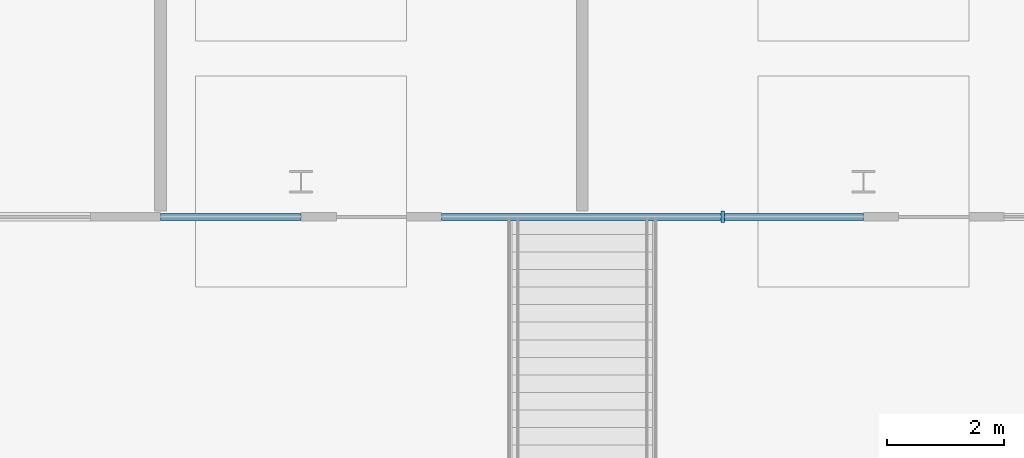
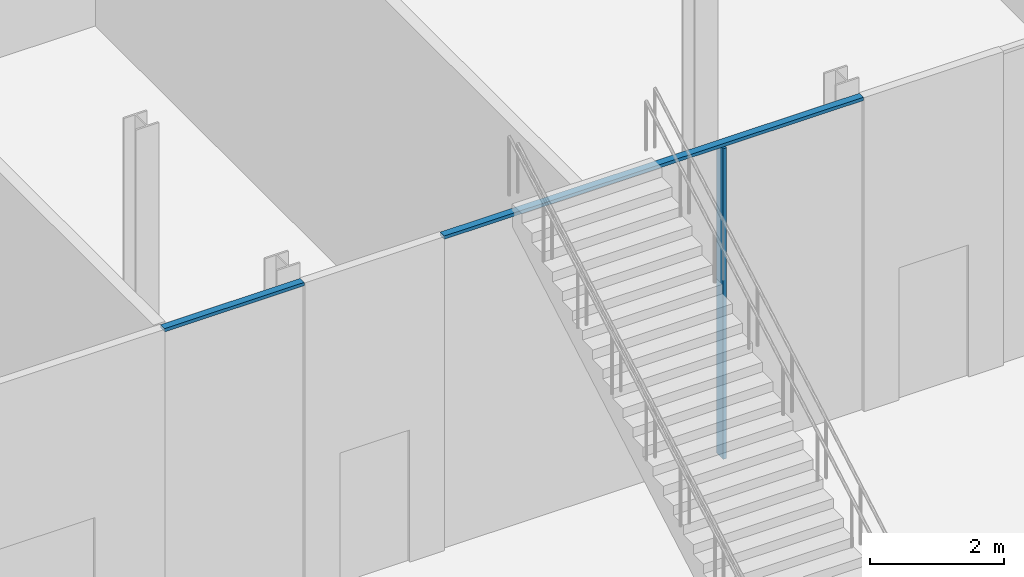
# One storey, part 9 of 44: 3 members, 1 element without a shape of its own.
"""IFC4 building model written with IfcOpenShell, lengths in metres."""

from ifc_helpers import new_model, si_unit, direction, frame, origin, origin_2d, place, context, subcontext, project, spatial, rectangle, extrude, material, layer, layer_set, material_profile, profile_set, type_object, element, aggregate, save


model = new_model("IFC4")

# Units and contexts
model_context = context("Model", 3, precision=1e-05, world=origin(), true_north=direction((0.0, 1.0)))
body_context = subcontext(model_context, "Body", "Model", "MODEL_VIEW")
ifc_project = project(units=[si_unit("LENGTHUNIT", "METRE"), si_unit("AREAUNIT", "SQUARE_METRE"), si_unit("VOLUMEUNIT", "CUBIC_METRE"), si_unit("PLANEANGLEUNIT", "RADIAN"), si_unit("MASSUNIT", "GRAM", prefix="KILO")], contexts=[model_context])

# Site, building, storey
site_placement = place(None, origin())
site = spatial("IfcSite", under=ifc_project, at=site_placement, CompositionType="ELEMENT")
building_placement = place(site_placement, origin())
building = spatial("IfcBuilding", under=site, at=building_placement, Name="Madar Terraces", CompositionType="ELEMENT")
storey_placement = place(building_placement, origin())
storey = spatial("IfcBuildingStorey", under=building, at=storey_placement, Name="L00", CompositionType="ELEMENT", Elevation=0.0)

# Curtain wall, members
ifc_material_1 = material(Name="Glass, clear low-iron, with black aluminium frame", Category="aluminium")
ifc_layer = layer(ifc_material_1, 0.199951171875)
ifc_layer_set = layer_set([ifc_layer], Name="Facade curtain wall, shopfront glazing")
curtain_wall_type = type_object("IfcCurtainWallType", Name="Facade curtain wall, shopfront glazing", PredefinedType="NOTDEFINED", material=ifc_layer_set)
curtain_wall_placement = place(storey_placement, origin())
curtain_wall = element("IfcCurtainWall", 1, at=curtain_wall_placement, inside=storey, type_object=curtain_wall_type, Name="Outer skin curtain wall south bay 1", PredefinedType="NOTDEFINED")
ifc_material_2 = material(Name="Aluminium, black anodised", Category="aluminium")
ifc_material_profile_1 = material_profile(ifc_material_2, rectangle(XDim=0.199951171875, YDim=0.06005859375, at=origin_2d()), Name="Facade mullion 60x200")
ifc_profile_set_1 = profile_set([ifc_material_profile_1], Name="Aluminium, black anodised")
member_type_1 = type_object("IfcMemberType", Name="Facade mullion 60x200", PredefinedType="MULLION", material=ifc_profile_set_1)
member_1_placement = place(storey_placement, frame((50.39990234375, -52.800048828125, 0.0), z_axis=(0.0, 0.0, 1.0), x_axis=(0.0, 1.0, 0.0)))
member_1 = element("IfcMember", 2, at=member_1_placement, type_object=member_type_1, Name="Mullion 5", PredefinedType="MULLION", context=body_context, shape_type="SweptSolid", body=[
    extrude(rectangle(XDim=0.199951171875, YDim=0.06005859375, at=origin_2d()), origin(), (0.0, 0.0, 1.0), 5.639892578125),
])
ifc_material_3 = material(Name="Aluminium, black anodised", Category="aluminium")
ifc_material_profile_2 = material_profile(ifc_material_3, rectangle(XDim=0.1201171875, YDim=0.06005859375, at=origin_2d()), Name="Facade transom 60x120")
ifc_profile_set_2 = profile_set([ifc_material_profile_2], Name="Aluminium, black anodised")
member_type_2 = type_object("IfcMemberType", Name="Facade transom 60x120", PredefinedType="USERDEFINED", material=ifc_profile_set_2)
member_2_placement = place(storey_placement, frame((40.800048828125, -52.800048828125, 5.669921875), z_axis=(1.0, 0.0, 0.0), x_axis=(0.0, 1.0, 0.0)))
member_2 = element("IfcMember", 3, at=member_2_placement, type_object=member_type_2, Name="Transom 5", ObjectType="TRANSOM", PredefinedType="USERDEFINED", context=body_context, shape_type="SweptSolid", body=[
    extrude(rectangle(XDim=0.1201171875, YDim=0.06005859375, at=origin_2d()), origin(), (0.0, 0.0, 1.0), 2.39990234375),
])
member_3_placement = place(storey_placement, frame((45.60009765625, -52.800048828125, 5.669921875), z_axis=(1.0, 0.0, 0.0), x_axis=(0.0, 1.0, 0.0)))
member_3 = element("IfcMember", 4, at=member_3_placement, type_object=member_type_2, Name="Transom 6", ObjectType="TRANSOM", PredefinedType="USERDEFINED", context=body_context, shape_type="SweptSolid", body=[
    extrude(rectangle(XDim=0.1201171875, YDim=0.06005859375, at=origin_2d()), origin(), (0.0, 0.0, 1.0), 7.199951171875),
])
aggregate(curtain_wall, [member_2, member_1, member_3])

save(model, "model.ifc")
